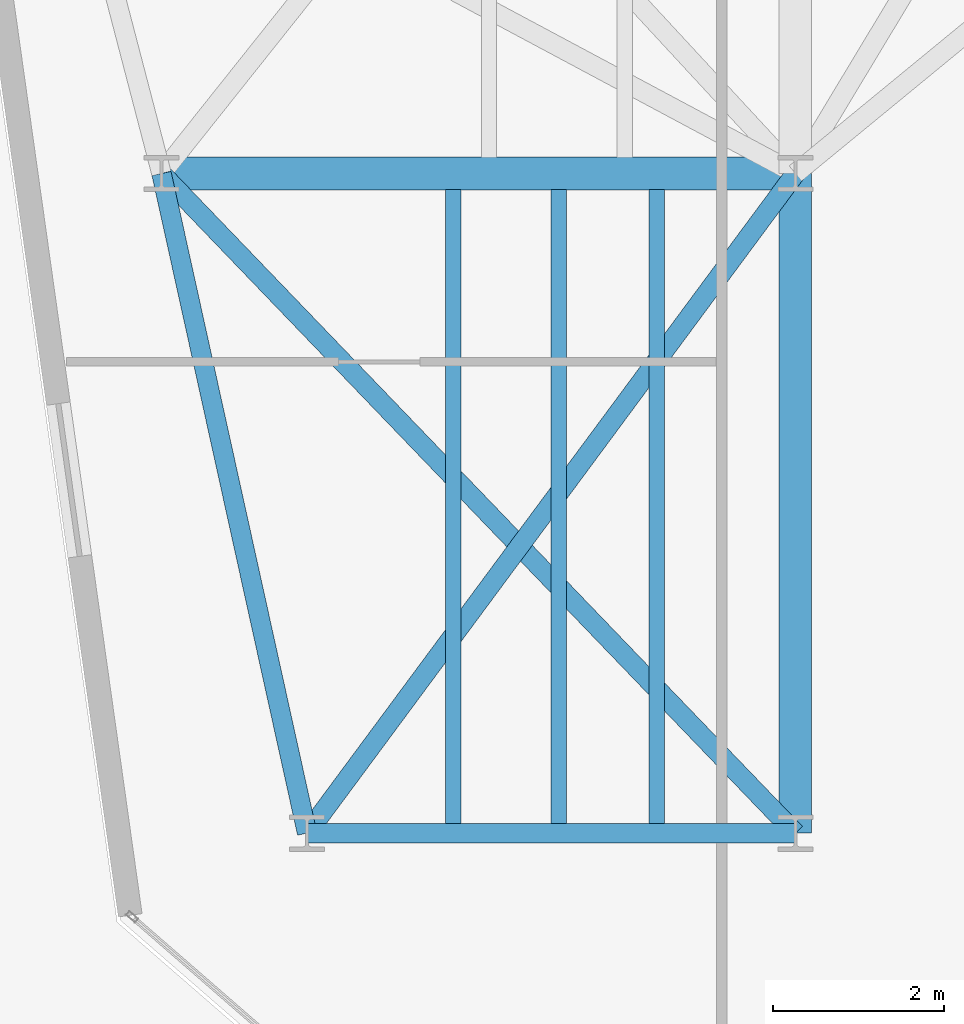
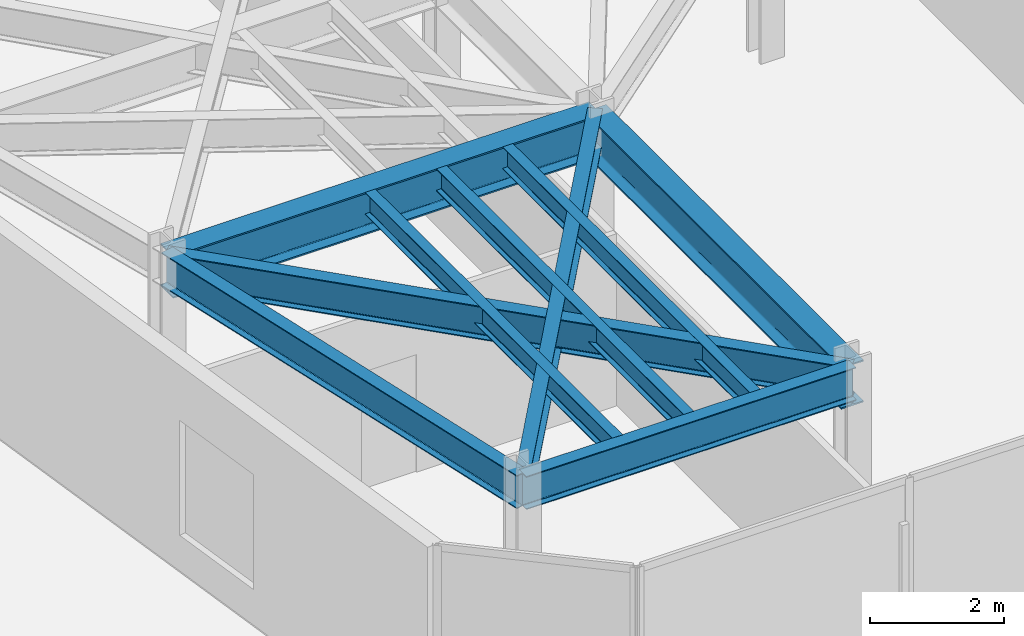
# One storey, part 3 of 21: 9 beams.
"""IFC4 building model written with IfcOpenShell, lengths in metres."""

from ifc_helpers import new_model, si_unit, direction, frame, origin, origin_2d, place, context, subcontext, project, spatial, i_section, extrude, material, material_profile, profile_set, type_object, element, save


model = new_model("IFC4")

# Units and contexts
model_context = context("Model", 3, precision=1e-05, world=origin(), true_north=direction((0.0, 1.0)))
body_context = subcontext(model_context, "Body", "Model", "MODEL_VIEW")
ifc_project = project(units=[si_unit("LENGTHUNIT", "METRE"), si_unit("AREAUNIT", "SQUARE_METRE"), si_unit("VOLUMEUNIT", "CUBIC_METRE"), si_unit("PLANEANGLEUNIT", "RADIAN"), si_unit("MASSUNIT", "GRAM", prefix="KILO")], contexts=[model_context])

# Site, building, storey
site_placement = place(None, origin())
site = spatial("IfcSite", under=ifc_project, at=site_placement, CompositionType="ELEMENT")
building_placement = place(site_placement, origin())
building = spatial("IfcBuilding", under=site, at=building_placement, Name="Kravanh Interchange Tower", CompositionType="ELEMENT")
storey_placement = place(building_placement, frame((0.0, 0.0, 160.5)))
storey = spatial("IfcBuildingStorey", under=building, at=storey_placement, Name="L38", CompositionType="ELEMENT", Elevation=160.5)

# Beams
ifc_material_1 = material(Name="Structural Steel S355", Category="steel")
ifc_material_profile_1 = material_profile(ifc_material_1, i_section(OverallWidth=0.381103515625, OverallDepth=0.77294921875, WebThickness=0.0166015625, FlangeThickness=0.027099609375, FilletRadius=0.02490234375, at=origin_2d()), Name="W30X173")
ifc_profile_set_1 = profile_set([ifc_material_profile_1], Name="Structural Steel S355")
beam_type_1 = type_object("IfcBeamType", Name="Floor Beam W30X173 Structural Steel S355", PredefinedType="BEAM", material=ifc_profile_set_1)
beam_1_placement = place(storey_placement, frame((27.199951171875, 14.5, 3.368408203125), z_axis=(0.0, 1.0, 0.0), x_axis=(-1.0, 0.0, 0.0)))
element("IfcBeam", 1, at=beam_1_placement, inside=storey, type_object=beam_type_1, Name="L38 Primary Floor Girder 70", PredefinedType="BEAM", context=body_context, shape_type="SweptSolid", body=[
    extrude(i_section(OverallWidth=0.381103515625, OverallDepth=0.77294921875, WebThickness=0.0166015625, FlangeThickness=0.027099609375, FilletRadius=0.02490234375, at=origin_2d()), origin(), (0.0, 0.0, 1.0), 7.699951171875),
])
beam_2_placement = place(storey_placement, frame((19.800048828125, 22.199951171875, 3.368408203125), z_axis=(1.0, 0.0, 0.0), x_axis=(0.0, 1.0, 0.0)))
element("IfcBeam", 2, at=beam_2_placement, inside=storey, type_object=beam_type_1, Name="L38 Primary Floor Girder 91", PredefinedType="BEAM", context=body_context, shape_type="SweptSolid", body=[
    extrude(i_section(OverallWidth=0.381103515625, OverallDepth=0.77294921875, WebThickness=0.0166015625, FlangeThickness=0.027099609375, FilletRadius=0.02490234375, at=origin_2d()), origin(), (0.0, 0.0, 1.0), 7.39990234375),
])
ifc_material_2 = material(Name="Structural Steel S355", Category="steel")
ifc_material_profile_2 = material_profile(ifc_material_2, i_section(OverallWidth=0.177978515625, OverallDepth=0.406005859375, WebThickness=0.0078125, FlangeThickness=0.0126953125, FilletRadius=0.01611328125, at=origin_2d()), Name="W16X40")
ifc_profile_set_2 = profile_set([ifc_material_profile_2], Name="Structural Steel S355")
beam_type_2 = type_object("IfcBeamType", Name="Floor Joist W16X40 Structural Steel S355", PredefinedType="JOIST", material=ifc_profile_set_2)
for number, where, z_axis, x_axis, name in (
    (3, (23.2060546875, 14.60888671875, 3.552001953125), (0.0, 1.0, 0.0), (-1.0, 0.0, 0.0), "L38 Secondary Floor Joist 1"),
    (4, (24.43798828125, 14.60888671875, 3.552001953125), (0.0, 1.0, 0.0), (-1.0, 0.0, 0.0), "L38 Secondary Floor Joist 2"),
    (5, (25.58203125, 14.60888671875, 3.552001953125), (0.0, 1.0, 0.0), (-1.0, 0.0, 0.0), "L38 Secondary Floor Joist 3"),
):
    element("IfcBeam", number, at=place(storey_placement, frame(where, z_axis=z_axis, x_axis=x_axis)), inside=storey, type_object=beam_type_2, Name=name, PredefinedType="JOIST", context=body_context, shape_type="SweptSolid", body=[
        extrude(i_section(OverallWidth=0.177978515625, OverallDepth=0.406005859375, WebThickness=0.0078125, FlangeThickness=0.0126953125, FilletRadius=0.01611328125, at=origin_2d()), origin(), (0.0, 0.0, 1.0), 7.405517578125),
    ])
ifc_material_3 = material(Name="Structural Steel S355", Category="steel")
ifc_material_profile_3 = material_profile(ifc_material_3, i_section(OverallWidth=0.22802734375, OverallDepth=0.60791015625, WebThickness=0.01123046875, FlangeThickness=0.017333984375, FilletRadius=0.02197265625, at=origin_2d()), Name="W24X76")
ifc_profile_set_3 = profile_set([ifc_material_profile_3], Name="Structural Steel S355")
beam_type_3 = type_object("IfcBeamType", Name="Floor Spandrel W24X76 Structural Steel S355", PredefinedType="SPANDREL", material=ifc_profile_set_3)
beam_3_placement = place(storey_placement, frame((21.5, 14.5, 3.450927734375), z_axis=(1.0, 0.0, 0.0), x_axis=(0.0, 1.0, 0.0)))
element("IfcBeam", 6, at=beam_3_placement, inside=storey, type_object=beam_type_3, Name="L38 Perimeter Spandrel 30", PredefinedType="SPANDREL", context=body_context, shape_type="SweptSolid", body=[
    extrude(i_section(OverallWidth=0.22802734375, OverallDepth=0.60791015625, WebThickness=0.01123046875, FlangeThickness=0.017333984375, FilletRadius=0.02197265625, at=origin_2d()), origin(), (0.0, 0.0, 1.0), 5.699951171875),
])
beam_4_placement = place(storey_placement, frame((21.5, 14.5, 3.450927734375), z_axis=(-0.215582892261, 0.976485543449, 0.0), x_axis=(-0.976485543449, -0.215582892261, 0.0)))
element("IfcBeam", 7, at=beam_4_placement, inside=storey, type_object=beam_type_3, Name="L38 Perimeter Spandrel 31", PredefinedType="SPANDREL", context=body_context, shape_type="SweptSolid", body=[
    extrude(i_section(OverallWidth=0.22802734375, OverallDepth=0.60791015625, WebThickness=0.01123046875, FlangeThickness=0.017333984375, FilletRadius=0.02197265625, at=origin_2d()), origin(), (0.0, 0.0, 1.0), 7.88525390625),
])
beam_5_placement = place(storey_placement, frame((21.5, 14.5, 3.450927734375), z_axis=(0.59497703726, 0.803742698339, 0.0), x_axis=(-0.803742698339, 0.59497703726, 0.0)))
element("IfcBeam", 8, at=beam_5_placement, inside=storey, type_object=beam_type_3, Name="L38 Perimeter Spandrel 32", PredefinedType="SPANDREL", context=body_context, shape_type="SweptSolid", body=[
    extrude(i_section(OverallWidth=0.22802734375, OverallDepth=0.60791015625, WebThickness=0.01123046875, FlangeThickness=0.017333984375, FilletRadius=0.02197265625, at=origin_2d()), origin(), (0.0, 0.0, 1.0), 9.580078125),
])
beam_6_placement = place(storey_placement, frame((27.199951171875, 14.5, 3.450927734375), z_axis=(-0.692919091225, 0.721015348669, 0.0), x_axis=(-0.721015348669, -0.692919091225, 0.0)))
element("IfcBeam", 9, at=beam_6_placement, inside=storey, type_object=beam_type_3, Name="L38 Perimeter Spandrel 71", PredefinedType="SPANDREL", context=body_context, shape_type="SweptSolid", body=[
    extrude(i_section(OverallWidth=0.22802734375, OverallDepth=0.60791015625, WebThickness=0.01123046875, FlangeThickness=0.017333984375, FilletRadius=0.02197265625, at=origin_2d()), origin(), (0.0, 0.0, 1.0), 10.67919921875),
])

save(model, "model.ifc")
